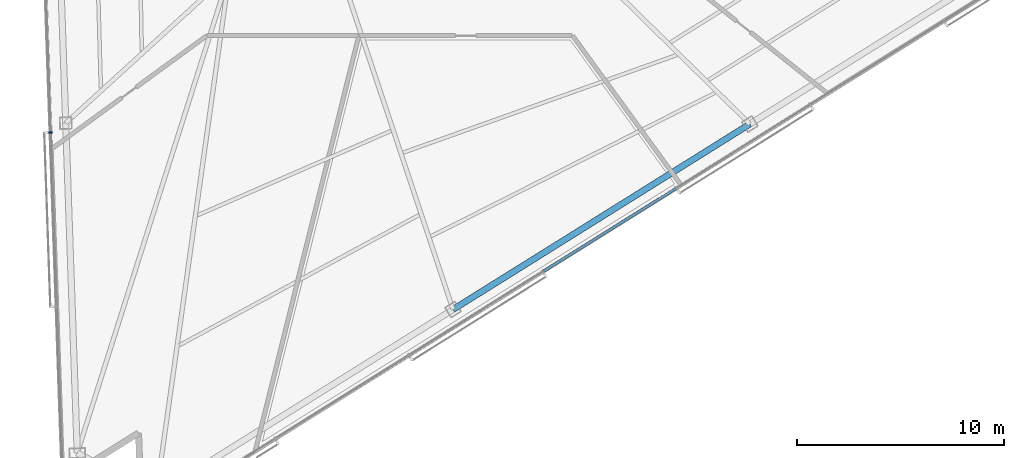
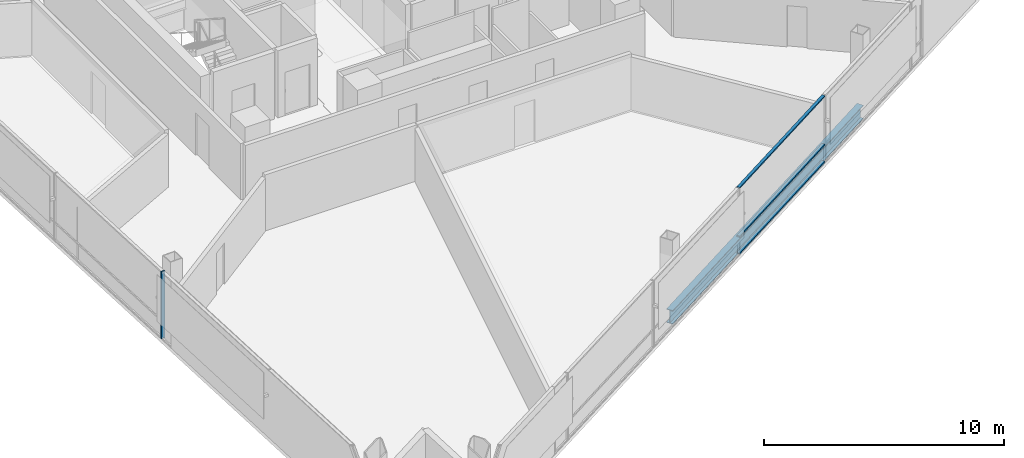
# One storey, part 3 of 21: 4 members, 1 beam, 2 elements without a shape of their own.
"""IFC4 building model written with IfcOpenShell, lengths in metres."""

import ifcopenshell
import ifcopenshell.guid

model = None  # the IFC model being written
_history = None  # IfcOwnerHistory: only IFC2X3 demands one
_inside = {}  # id of a spatial element -> (the spatial element, [elements in it])
_under = {}  # id of a project, library or spatial element -> (it, [spatial elements below it])
_declared = {}  # id of a project -> (the project, [libraries it declares])
_typed = {}  # id of a type object -> (the type object, [elements of that type])
_made_of = {}  # id of a material, layer set ... -> (it, [elements and type objects made of it])


def new_model(schema):
    """Start an empty IFC model of exactly this schema.

    Asked for "IFC4X3", IfcOpenShell would pick the latest addendum, in which some entities
    have other attributes; the version numbers below select the first issue.
    IFC2X3 requires an IfcOwnerHistory on every rooted entity: one is made here for all.
    """
    global model, _history
    if schema == "IFC4X3":
        model = ifcopenshell.file(schema_version=(4, 3, 0, 0))
    else:
        model = ifcopenshell.file(schema=schema)
    _inside.clear()
    _under.clear()
    _declared.clear()
    _typed.clear()
    _made_of.clear()
    _history = None
    if model.schema == "IFC2X3":
        org = make("IfcOrganization", Name="unknown")
        user = make(
            "IfcPersonAndOrganization",
            ThePerson=make("IfcPerson", FamilyName="unknown"),
            TheOrganization=org,
        )
        app = make(
            "IfcApplication",
            ApplicationDeveloper=org,
            Version="unknown",
            ApplicationFullName="unknown",
            ApplicationIdentifier="unknown",
        )
        _history = make(
            "IfcOwnerHistory",
            OwningUser=user,
            OwningApplication=app,
            ChangeAction="ADDED",
            CreationDate=0,
        )
    return model


def make(cls, **values):
    """One entity of the class cls with the attributes given. An attribute that is None is left unset."""
    return model.create_entity(
        cls, **{name: value for name, value in values.items() if value is not None}
    )


def rooted(cls, **values):
    """An entity with a GlobalId (a new one), such as an element, a storey or a relation."""
    return make(cls, GlobalId=ifcopenshell.guid.new(), OwnerHistory=_history, **values)


def si_unit(unit_type, name, prefix=None):
    """IfcSIUnit, for example si_unit("LENGTHUNIT", "METRE", prefix="MILLI")."""
    return make("IfcSIUnit", UnitType=unit_type, Prefix=prefix, Name=name)


def assignment(units):
    """IfcUnitAssignment: the units of a project."""
    return None if units is None else make("IfcUnitAssignment", Units=units)


def point(xyz):
    """IfcCartesianPoint."""
    return None if xyz is None else make("IfcCartesianPoint", Coordinates=xyz)


def direction(xyz):
    """IfcDirection."""
    return None if xyz is None else make("IfcDirection", DirectionRatios=xyz)


def frame(location, z_axis=None, x_axis=None):
    """IfcAxis2Placement3D, a coordinate frame: its origin and axes. An axis left out is left unset."""
    return make(
        "IfcAxis2Placement3D",
        Location=point(location),
        Axis=direction(z_axis),
        RefDirection=direction(x_axis),
    )


def frame_2d(location, x_axis=None):
    """IfcAxis2Placement2D, a coordinate frame in the plane: its origin and x axis."""
    return make(
        "IfcAxis2Placement2D", Location=point(location), RefDirection=direction(x_axis)
    )


def origin():
    """The frame at (0, 0, 0) with its axes left unset."""
    return frame((0.0, 0.0, 0.0))


def origin_2d():
    """The frame at (0, 0) in the plane with its x axis left unset."""
    return frame_2d((0.0, 0.0))


def place(relative_to, where):
    """IfcLocalPlacement: puts the frame where relative to a parent placement (None: the world)."""
    return make(
        "IfcLocalPlacement", PlacementRelTo=relative_to, RelativePlacement=where
    )


def context(
    kind, dimensions, precision=None, world=None, true_north=None, identifier=None
):
    """IfcGeometricRepresentationContext, for example the 3D "Model" context."""
    return make(
        "IfcGeometricRepresentationContext",
        ContextIdentifier=identifier,
        ContextType=kind,
        CoordinateSpaceDimension=dimensions,
        Precision=precision,
        WorldCoordinateSystem=world,
        TrueNorth=true_north,
    )


def subcontext(parent, identifier, kind, view, scale=None):
    """IfcGeometricRepresentationSubContext, for example "Body" below "Model"."""
    return make(
        "IfcGeometricRepresentationSubContext",
        ContextIdentifier=identifier,
        ContextType=kind,
        ParentContext=parent,
        TargetScale=scale,
        TargetView=view,
    )


def project(units=None, contexts=None):
    """IfcProject with its units and contexts."""
    return rooted(
        "IfcProject",
        Name="project",
        RepresentationContexts=contexts,
        UnitsInContext=assignment(units),
    )


def spatial(cls, under=None, at=None, **own):
    """A site, building, storey or space (cls), placed at a placement, below another one or the project."""
    s = rooted(cls, ObjectPlacement=at, **own)
    if under is not None:
        _under.setdefault(under.id(), (under, []))[1].append(s)
    return s


def profile(cls, at=None, kind="AREA", **sizes):
    """A parametric profile (cls). Its sizes go by their IFC names, for example OverallWidth=200.0."""
    return make(cls, ProfileType=kind, Position=at, **sizes)


def rectangle(**sizes):
    """IfcRectangleProfileDef."""
    return profile("IfcRectangleProfileDef", **sizes)


def i_section(**sizes):
    """IfcIShapeProfileDef."""
    return profile("IfcIShapeProfileDef", **sizes)


def extrude(swept, where, along, depth):
    """IfcExtrudedAreaSolid: the profile swept, set in the frame where, extruded along a direction by depth."""
    return make(
        "IfcExtrudedAreaSolid",
        SweptArea=swept,
        Position=where,
        ExtrudedDirection=direction(along),
        Depth=depth,
    )


def shape(context_of_items, identifier, shape_type, items):
    """IfcShapeRepresentation: the items that make up one representation, for example the "Body"."""
    return make(
        "IfcShapeRepresentation",
        ContextOfItems=context_of_items,
        RepresentationIdentifier=identifier,
        RepresentationType=shape_type,
        Items=items,
    )


def material(Name=None, Category=None):
    """IfcMaterial."""
    return make("IfcMaterial", Name=Name, Category=Category)


def layer(
    of_material, thickness, ventilated=None, Name=None, Category=None, Priority=None
):
    """IfcMaterialLayer: one layer of a wall or slab, of a material (None: an air gap)."""
    return make(
        "IfcMaterialLayer",
        Material=of_material,
        LayerThickness=thickness,
        IsVentilated=ventilated,
        Name=Name,
        Category=Category,
        Priority=Priority,
    )


def layer_set(layers, Name=None):
    """IfcMaterialLayerSet."""
    return make("IfcMaterialLayerSet", MaterialLayers=layers, LayerSetName=Name)


def material_profile(
    of_material, cross_section, Name=None, Category=None, Priority=None
):
    """IfcMaterialProfile: a cross section and its material."""
    return make(
        "IfcMaterialProfile",
        Name=Name,
        Material=of_material,
        Profile=cross_section,
        Priority=Priority,
        Category=Category,
    )


def profile_set(profiles, Name=None, composite=None):
    """IfcMaterialProfileSet."""
    return make(
        "IfcMaterialProfileSet",
        Name=Name,
        MaterialProfiles=profiles,
        CompositeProfile=composite,
    )


def made_of(thing, what):
    """Note that an element or type object is made of a material, layer set ...; save() writes the relation."""
    if what is not None:
        _made_of.setdefault(what.id(), (what, []))[1].append(thing)
    return thing


def type_object(cls, material=None, **own):
    """A type object (cls), such as IfcWallType, which elements share."""
    return made_of(rooted(cls, **own), material)


def element(
    cls,
    number,
    at=None,
    inside=None,
    cuts=None,
    type_object=None,
    material=None,
    context=None,
    identifier="Body",
    shape_type=None,
    held_by="IfcProductDefinitionShape",
    body=None,
    shapes=None,
    **own,
):
    """One element of the class cls, such as IfcWall. Its Tag is "e" and its number.

    at: its placement. inside: the storey or other place that contains it. cuts: it is an
    opening in that element (IfcRelVoidsElement). A single representation is given by context,
    identifier, shape_type and body (its items); several are given by shapes. held_by: the class
    of the entity that holds the representations. save() writes the other relations.
    """
    e = rooted(cls, Tag="e%d" % number, ObjectPlacement=at, **own)
    if body is not None:
        shapes = [shape(context, identifier, shape_type, body)]
    if shapes is not None:
        e.Representation = make(held_by, Representations=shapes)
    if inside is not None:
        _inside.setdefault(inside.id(), (inside, []))[1].append(e)
    if cuts is not None:
        rooted(
            "IfcRelVoidsElement", RelatingBuildingElement=cuts, RelatedOpeningElement=e
        )
    if type_object is not None:
        _typed.setdefault(type_object.id(), (type_object, []))[1].append(e)
    return made_of(e, material)


def aggregate(whole, parts):
    """IfcRelAggregates: a whole, such as a stair, and the parts it consists of."""
    return rooted("IfcRelAggregates", RelatingObject=whole, RelatedObjects=parts)


def save(model, path):
    """Write the relations noted so far, then the file.

    IfcRelAggregates (storeys below a building ...), IfcRelContainedInSpatialStructure (elements
    in a storey), IfcRelDefinesByType, IfcRelAssociatesMaterial and IfcRelDeclares: one each for
    every whole, place, type object, material and project.
    """
    for whole, parts in _under.values():
        aggregate(whole, parts)
    for where, things in _inside.values():
        rooted(
            "IfcRelContainedInSpatialStructure",
            RelatedElements=things,
            RelatingStructure=where,
        )
    for kind, things in _typed.values():
        rooted("IfcRelDefinesByType", RelatedObjects=things, RelatingType=kind)
    for what, things in _made_of.values():
        rooted("IfcRelAssociatesMaterial", RelatedObjects=things, RelatingMaterial=what)
    for by, libraries in _declared.values():
        rooted("IfcRelDeclares", RelatingContext=by, RelatedDefinitions=libraries)
    model.write(path)


model = new_model("IFC4")

# Units and contexts
model_context = context("Model", 3, precision=1e-05, world=origin(), true_north=direction((0.0, 1.0)))
body_context = subcontext(model_context, "Body", "Model", "MODEL_VIEW")
ifc_project = project(units=[si_unit("LENGTHUNIT", "METRE"), si_unit("AREAUNIT", "SQUARE_METRE"), si_unit("VOLUMEUNIT", "CUBIC_METRE"), si_unit("PLANEANGLEUNIT", "RADIAN"), si_unit("MASSUNIT", "GRAM", prefix="KILO")], contexts=[model_context])

# Site, building, storey
site_placement = place(None, origin())
site = spatial("IfcSite", under=ifc_project, at=site_placement, CompositionType="ELEMENT")
building_placement = place(site_placement, origin())
building = spatial("IfcBuilding", under=site, at=building_placement, Name="Tharavind Bronze Gate", CompositionType="ELEMENT")
storey_placement = place(building_placement, frame((0.0, 0.0, 156.800048828125)))
storey = spatial("IfcBuildingStorey", under=building, at=storey_placement, Name="L40", CompositionType="ELEMENT", Elevation=156.800048828125)

# Curtain wall, member
ifc_material_1 = material(Name="Anodised Bronze Aluminium", Category="aluminium")
ifc_layer = layer(ifc_material_1, 0.219970703125)
ifc_layer_set = layer_set([ifc_layer], Name="Anodised Bronze Aluminium")
curtain_wall_type = type_object("IfcCurtainWallType", Name="UNITISED CURTAIN WALL MID OFFICE", PredefinedType="USERDEFINED", material=ifc_layer_set)
curtain_wall_1_placement = place(storey_placement, origin())
curtain_wall_1 = element("IfcCurtainWall", 1, at=curtain_wall_1_placement, inside=storey, type_object=curtain_wall_type, Name="L40 unitised curtain wall mid office CW-L40-S1", ObjectType="UNITISED CURTAIN WALL", PredefinedType="USERDEFINED")
member_type_1 = type_object("IfcMemberType", Name="CURTAIN WALL BRONZE MULLION 65X180", PredefinedType="MULLION", material=ifc_material_1)
member_1_placement = place(storey_placement, frame((-17.545166015625, -15.273193359375, 0.0), z_axis=(0.0, 0.0, 1.0), x_axis=(0.034899496703, -0.999390827019, 0.0)))
member_1 = element("IfcMember", 2, at=member_1_placement, type_object=member_type_1, Name="CW-L40-S1 mullion 5", PredefinedType="MULLION", context=body_context, shape_type="SweptSolid", body=[
    extrude(rectangle(XDim=0.06494140625, YDim=0.179931640625, at=origin_2d()), origin(), (0.0, 0.0, 1.0), 3.409912109375),
])
aggregate(curtain_wall_1, [member_1])

# Curtain wall, members
curtain_wall_2_placement = place(storey_placement, origin())
curtain_wall_2 = element("IfcCurtainWall", 3, at=curtain_wall_2_placement, inside=storey, type_object=curtain_wall_type, Name="L40 unitised curtain wall mid office CW-L40-S2", ObjectType="UNITISED CURTAIN WALL", PredefinedType="USERDEFINED")
member_type_2 = type_object("IfcMemberType", Name="CURTAIN WALL BRONZE TRANSOM 65X140", PredefinedType="USERDEFINED", material=ifc_material_1)
member_2_placement = place(storey_placement, frame((9.485595703125, -19.97998046875, 0.0), z_axis=(0.0, 0.0, 1.0), x_axis=(0.848048096156, 0.529919264233, 0.0)))
member_2 = element("IfcMember", 4, at=member_2_placement, type_object=member_type_2, Name="CW-L40-S2 transom TB4", ObjectType="TRANSOM", PredefinedType="USERDEFINED", context=body_context, shape_type="SweptSolid", body=[
    extrude(rectangle(XDim=7.57080078125, YDim=0.139892578125, at=origin_2d()), origin(), (0.0, 0.0, 1.0), 0.06494140625),
])
member_3_placement = place(storey_placement, frame((9.485595703125, -19.97998046875, 0.867431640625), z_axis=(0.0, 0.0, 1.0), x_axis=(0.848048096156, 0.529919264233, 0.0)))
member_3 = element("IfcMember", 5, at=member_3_placement, type_object=member_type_2, Name="CW-L40-S2 transom TS4", ObjectType="TRANSOM", PredefinedType="USERDEFINED", context=body_context, shape_type="SweptSolid", body=[
    extrude(rectangle(XDim=7.57080078125, YDim=0.139892578125, at=origin_2d()), origin(), (0.0, 0.0, 1.0), 0.06494140625),
])
member_4_placement = place(storey_placement, frame((9.485595703125, -19.97998046875, 3.344970703125), z_axis=(0.0, 0.0, 1.0), x_axis=(0.848048096156, 0.529919264233, 0.0)))
member_4 = element("IfcMember", 6, at=member_4_placement, type_object=member_type_2, Name="CW-L40-S2 transom TT4", ObjectType="TRANSOM", PredefinedType="USERDEFINED", context=body_context, shape_type="SweptSolid", body=[
    extrude(rectangle(XDim=7.57080078125, YDim=0.139892578125, at=origin_2d()), origin(), (0.0, 0.0, 1.0), 0.06494140625),
])
aggregate(curtain_wall_2, [member_2, member_3, member_4])

# Beam
ifc_material_2 = material(Name="Steel S355", Category="steel")
ifc_material_profile = material_profile(ifc_material_2, i_section(OverallWidth=0.300048828125, OverallDepth=0.699951171875, WebThickness=0.01708984375, FlangeThickness=0.031982421875, at=origin_2d()), Name="HE700B")
ifc_profile_set = profile_set([ifc_material_profile], Name="Steel S355")
beam_type = type_object("IfcBeamType", Name="RING GIRDER HE700B", PredefinedType="USERDEFINED", material=ifc_profile_set)
beam_placement = place(storey_placement, frame((1.912353515625, -23.827880859375, -0.5400390625), z_axis=(0.848050170677, 0.529915944293, 0.0), x_axis=(-0.529915944293, 0.848050170677, 0.0)))
element("IfcBeam", 7, at=beam_placement, inside=storey, type_object=beam_type, Name="L40 ring girder he700b BM-L40-PRG06", ObjectType="GIRDER", PredefinedType="USERDEFINED", context=body_context, shape_type="SweptSolid", body=[
    extrude(i_section(OverallWidth=0.300048828125, OverallDepth=0.699951171875, WebThickness=0.01708984375, FlangeThickness=0.031982421875, at=origin_2d()), origin(), (0.0, 0.0, 1.0), 16.923095703125),
])

save(model, "model.ifc")
